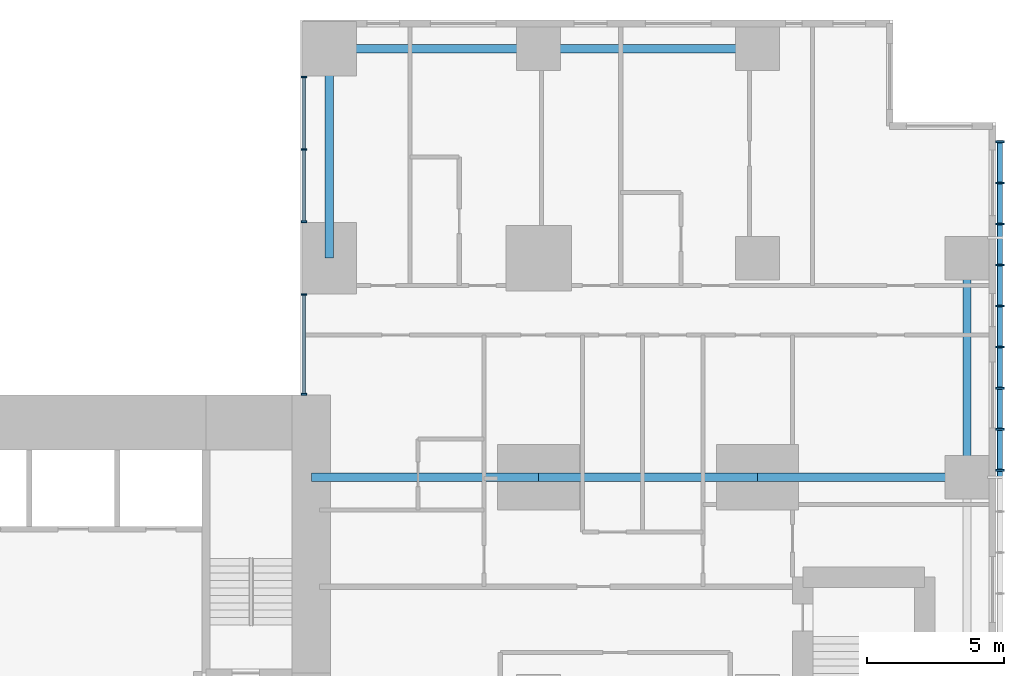
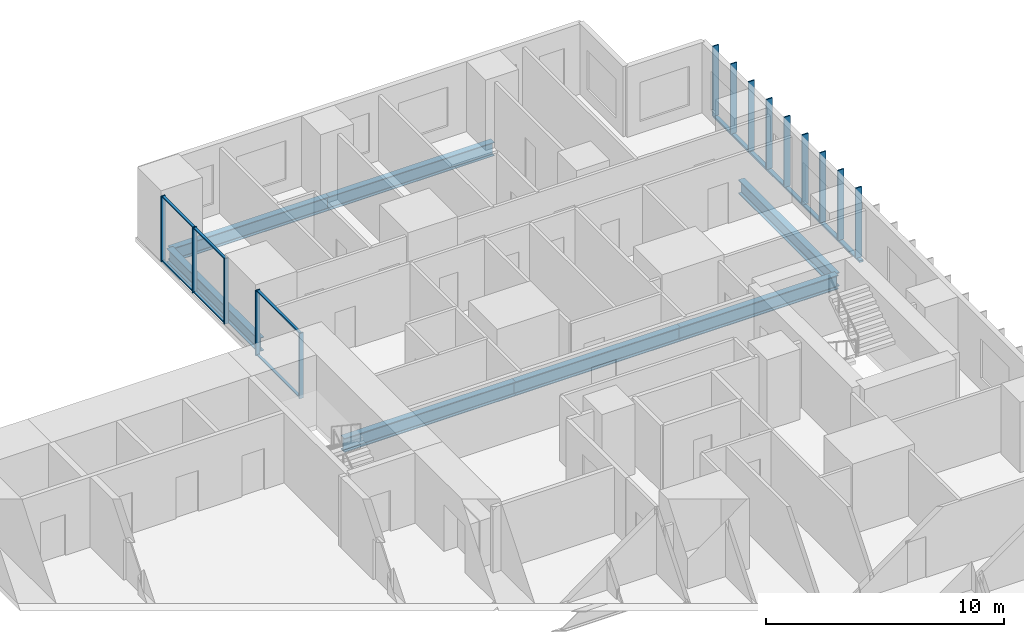
# One storey, part 3 of 12: 21 members, 7 beams, 2 elements without a shape of their own.
"""IFC4 building model written with IfcOpenShell, lengths in metres."""

from ifc_helpers import new_model, si_unit, direction, frame, origin, origin_2d, place, context, subcontext, project, spatial, rectangle, hollow_rectangle, i_section, extrude, material, layer, layer_set, material_profile, profile_set, type_object, element, aggregate, save


model = new_model("IFC4")

# Units and contexts
model_context = context("Model", 3, precision=1e-05, world=origin(), true_north=direction((0.0, 1.0)))
body_context = subcontext(model_context, "Body", "Model", "MODEL_VIEW")
ifc_project = project(units=[si_unit("LENGTHUNIT", "METRE"), si_unit("AREAUNIT", "SQUARE_METRE"), si_unit("VOLUMEUNIT", "CUBIC_METRE"), si_unit("PLANEANGLEUNIT", "RADIAN"), si_unit("MASSUNIT", "GRAM", prefix="KILO")], contexts=[model_context])

# Site, building, storey
site_placement = place(None, origin())
site = spatial("IfcSite", under=ifc_project, at=site_placement, CompositionType="ELEMENT")
building_placement = place(site_placement, origin())
building = spatial("IfcBuilding", under=site, at=building_placement, Name="Cleftline Residences", CompositionType="ELEMENT")
storey_placement = place(building_placement, frame((0.0, 0.0, 241.199951171875)))
storey = spatial("IfcBuildingStorey", under=building, at=storey_placement, Name="L63", CompositionType="ELEMENT", Elevation=241.199951171875)

# Member
ifc_material_1 = material(Name="Steel S355, hot-dip galvanised", Category="steel")
ifc_material_profile_1 = material_profile(ifc_material_1, hollow_rectangle(XDim=0.10009765625, YDim=0.199951171875, WallThickness=0.008056640625, InnerFilletRadius=0.008056640625, OuterFilletRadius=0.011962890625, at=origin_2d()))
ifc_profile_set_1 = profile_set([ifc_material_profile_1], Name="Steel S355, hot-dip galvanised")
member_type_1 = type_object("IfcMemberType", Name="BAGUETTE CARRIER RHS 200X100X8", PredefinedType="USERDEFINED", material=ifc_profile_set_1)
member_1_placement = place(storey_placement, frame((66.85009765625, 32.0, -0.050048828125), z_axis=(0.0, 1.0, 0.0), x_axis=(0.0, 0.0, 1.0)))
element("IfcMember", 1, at=member_1_placement, inside=storey, type_object=member_type_1, Name="Baguette carrier", ObjectType="BAGUETTE CARRIER", PredefinedType="USERDEFINED", context=body_context, shape_type="SweptSolid", body=[
    extrude(hollow_rectangle(XDim=0.10009765625, YDim=0.199951171875, WallThickness=0.008056640625, InnerFilletRadius=0.008056640625, OuterFilletRadius=0.011962890625, at=origin_2d()), origin(), (0.0, 0.0, 1.0), 12.300048828125),
])

# Beams
ifc_material_2 = material(Name="Steel S355", Category="steel")
ifc_material_profile_2 = material_profile(ifc_material_2, i_section(OverallWidth=0.300048828125, OverallDepth=0.699951171875, WebThickness=0.01708984375, FlangeThickness=0.031982421875, FilletRadius=0.027099609375, at=origin_2d()))
ifc_profile_set_2 = profile_set([ifc_material_profile_2], Name="Steel S355")
beam_type_1 = type_object("IfcBeamType", Name="BEAM HEB 700", PredefinedType="BEAM", material=ifc_profile_set_2)
for number, where, z_axis, x_axis, name in (
    (2, (65.64990234375, 32.0, -0.599853515625), (0.0, 1.0, 0.0), (-1.0, 0.0, 0.0), "Edge beam"),
    (3, (58.0, 47.64990234375, -0.599853515625), (-1.0, 0.0, 0.0), (0.0, -1.0, 0.0), "Edge beam"),
):
    element("IfcBeam", number, at=place(storey_placement, frame(where, z_axis=z_axis, x_axis=x_axis)), inside=storey, type_object=beam_type_1, Name=name, PredefinedType="BEAM", context=body_context, shape_type="SweptSolid", body=[
        extrude(i_section(OverallWidth=0.300048828125, OverallDepth=0.699951171875, WebThickness=0.01708984375, FlangeThickness=0.031982421875, FilletRadius=0.027099609375, at=origin_2d()), origin(), (0.0, 0.0, 1.0), 8.0),
    ])
for number, where, z_axis, x_axis, name in (
    (4, (50.0, 47.64990234375, -0.599853515625), (-1.0, 0.0, 0.0), (0.0, -1.0, 0.0), "Edge beam"),
    (5, (42.35009765625, 47.64990234375, -0.599853515625), (0.0, -1.0, 0.0), (1.0, 0.0, 0.0), "Edge beam"),
):
    element("IfcBeam", number, at=place(storey_placement, frame(where, z_axis=z_axis, x_axis=x_axis)), inside=storey, type_object=beam_type_1, Name=name, PredefinedType="BEAM", context=body_context, shape_type="SweptSolid", body=[
        extrude(i_section(OverallWidth=0.300048828125, OverallDepth=0.699951171875, WebThickness=0.01708984375, FlangeThickness=0.031982421875, FilletRadius=0.027099609375, at=origin_2d()), origin(), (0.0, 0.0, 1.0), 7.64990234375),
    ])
ifc_material_3 = material(Name="Steel S355", Category="steel")
ifc_material_profile_3 = material_profile(ifc_material_3, i_section(OverallWidth=0.303955078125, OverallDepth=0.716064453125, WebThickness=0.02099609375, FlangeThickness=0.0400390625, FilletRadius=0.027099609375, at=origin_2d()))
ifc_profile_set_3 = profile_set([ifc_material_profile_3], Name="Steel S355")
beam_type_2 = type_object("IfcBeamType", Name="BEAM HEM 700", PredefinedType="BEAM", material=ifc_profile_set_3)
beam_1_placement = place(storey_placement, frame((65.64990234375, 32.0, -0.60791015625), z_axis=(-1.0, 0.0, 0.0), x_axis=(0.0, -1.0, 0.0)))
element("IfcBeam", 6, at=beam_1_placement, inside=storey, type_object=beam_type_2, Name="Band beam", PredefinedType="BEAM", context=body_context, shape_type="SweptSolid", body=[
    extrude(i_section(OverallWidth=0.303955078125, OverallDepth=0.716064453125, WebThickness=0.02099609375, FlangeThickness=0.0400390625, FilletRadius=0.027099609375, at=origin_2d()), origin(), (0.0, 0.0, 1.0), 7.64990234375),
])
beam_2_placement = place(storey_placement, frame((58.0, 32.0, -0.60791015625), z_axis=(-1.0, 0.0, 0.0), x_axis=(0.0, -1.0, 0.0)))
element("IfcBeam", 7, at=beam_2_placement, inside=storey, type_object=beam_type_2, Name="Band beam", PredefinedType="BEAM", context=body_context, shape_type="SweptSolid", body=[
    extrude(i_section(OverallWidth=0.303955078125, OverallDepth=0.716064453125, WebThickness=0.02099609375, FlangeThickness=0.0400390625, FilletRadius=0.027099609375, at=origin_2d()), origin(), (0.0, 0.0, 1.0), 8.0),
])
beam_3_placement = place(storey_placement, frame((50.0, 32.0, -0.60791015625), z_axis=(-1.0, 0.0, 0.0), x_axis=(0.0, -1.0, 0.0)))
element("IfcBeam", 8, at=beam_3_placement, inside=storey, type_object=beam_type_2, Name="Band beam", PredefinedType="BEAM", context=body_context, shape_type="SweptSolid", body=[
    extrude(i_section(OverallWidth=0.303955078125, OverallDepth=0.716064453125, WebThickness=0.02099609375, FlangeThickness=0.0400390625, FilletRadius=0.027099609375, at=origin_2d()), origin(), (0.0, 0.0, 1.0), 8.300048828125),
])

# Curtain wall, members
ifc_material_4 = material(Name="Aluminium framed curtain wall", Category="aluminium")
ifc_layer = layer(ifc_material_4, 0.199951171875)
ifc_layer_set = layer_set([ifc_layer], Name="CW1 CLEFT GLAZING")
curtain_wall_type = type_object("IfcCurtainWallType", Name="CW1 CLEFT GLAZING", PredefinedType="NOTDEFINED", material=ifc_layer_set)
curtain_wall_1_placement = place(storey_placement, origin())
curtain_wall_1 = element("IfcCurtainWall", 9, at=curtain_wall_1_placement, inside=storey, type_object=curtain_wall_type, Name="Curtain wall CW1", PredefinedType="NOTDEFINED")
ifc_material_5 = material(Name="Aluminium mullion", Category="aluminium")
ifc_material_profile_4 = material_profile(ifc_material_5, rectangle(XDim=0.199951171875, YDim=0.06005859375, at=origin_2d()))
ifc_profile_set_4 = profile_set([ifc_material_profile_4], Name="Aluminium mullion")
member_type_2 = type_object("IfcMemberType", Name="CW1 MULLION", PredefinedType="MULLION", material=ifc_profile_set_4)
member_2_placement = place(storey_placement, frame((41.425048828125, 46.6201171875, 0.0), z_axis=(0.0, 0.0, 1.0), x_axis=(1.0, 0.0, 0.0)))
member_2 = element("IfcMember", 10, at=member_2_placement, type_object=member_type_2, Name="CW1 mullion 1", PredefinedType="MULLION", context=body_context, shape_type="SweptSolid", body=[
    extrude(rectangle(XDim=0.199951171875, YDim=0.06005859375, at=origin_2d()), origin(), (0.0, 0.0, 1.0), 3.35009765625),
])
member_3_placement = place(storey_placement, frame((41.425048828125, 43.97509765625, 0.0), z_axis=(0.0, 0.0, 1.0), x_axis=(1.0, 0.0, 0.0)))
member_3 = element("IfcMember", 11, at=member_3_placement, type_object=member_type_2, Name="CW1 mullion 2", PredefinedType="MULLION", context=body_context, shape_type="SweptSolid", body=[
    extrude(rectangle(XDim=0.199951171875, YDim=0.06005859375, at=origin_2d()), origin(), (0.0, 0.0, 1.0), 3.35009765625),
])
member_4_placement = place(storey_placement, frame((41.425048828125, 41.330078125, 0.0), z_axis=(0.0, 0.0, 1.0), x_axis=(1.0, 0.0, 0.0)))
member_4 = element("IfcMember", 12, at=member_4_placement, type_object=member_type_2, Name="CW1 mullion 3", PredefinedType="MULLION", context=body_context, shape_type="SweptSolid", body=[
    extrude(rectangle(XDim=0.199951171875, YDim=0.06005859375, at=origin_2d()), origin(), (0.0, 0.0, 1.0), 3.35009765625),
])

curtain_wall_2_placement = place(storey_placement, origin())
curtain_wall_2 = element("IfcCurtainWall", 13, at=curtain_wall_2_placement, inside=storey, type_object=curtain_wall_type, Name="Curtain wall CW1", PredefinedType="NOTDEFINED")
member_5_placement = place(storey_placement, frame((41.425048828125, 38.669921875, 0.0), z_axis=(0.0, 0.0, 1.0), x_axis=(1.0, 0.0, 0.0)))
member_5 = element("IfcMember", 14, at=member_5_placement, type_object=member_type_2, Name="CW1 mullion 1", PredefinedType="MULLION", context=body_context, shape_type="SweptSolid", body=[
    extrude(rectangle(XDim=0.199951171875, YDim=0.06005859375, at=origin_2d()), origin(), (0.0, 0.0, 1.0), 3.35009765625),
])
member_6_placement = place(storey_placement, frame((41.425048828125, 35.030029296875, 0.0), z_axis=(0.0, 0.0, 1.0), x_axis=(1.0, 0.0, 0.0)))
member_6 = element("IfcMember", 15, at=member_6_placement, type_object=member_type_2, Name="CW1 mullion 2", PredefinedType="MULLION", context=body_context, shape_type="SweptSolid", body=[
    extrude(rectangle(XDim=0.199951171875, YDim=0.06005859375, at=origin_2d()), origin(), (0.0, 0.0, 1.0), 3.35009765625),
])

# Member
ifc_material_6 = material(Name="Aluminium transom", Category="aluminium")
ifc_material_profile_5 = material_profile(ifc_material_6, rectangle(XDim=0.1201171875, YDim=0.06005859375, at=origin_2d()))
ifc_profile_set_5 = profile_set([ifc_material_profile_5], Name="Aluminium transom")
member_type_3 = type_object("IfcMemberType", Name="CW1 TRANSOM", PredefinedType="USERDEFINED", material=ifc_profile_set_5)
member_7_placement = place(storey_placement, frame((41.425048828125, 46.590087890625, 0.030029296875), z_axis=(0.0, -1.0, 0.0), x_axis=(1.0, 0.0, 0.0)))
member_7 = element("IfcMember", 16, at=member_7_placement, type_object=member_type_3, Name="CW1 transom 1.1", ObjectType="TRANSOM", PredefinedType="USERDEFINED", context=body_context, shape_type="SweptSolid", body=[
    extrude(rectangle(XDim=0.1201171875, YDim=0.06005859375, at=origin_2d()), origin(), (0.0, 0.0, 1.0), 2.585205078125),
])

member_8_placement = place(storey_placement, frame((41.425048828125, 46.590087890625, 3.320068359375), z_axis=(0.0, -1.0, 0.0), x_axis=(1.0, 0.0, 0.0)))
member_8 = element("IfcMember", 17, at=member_8_placement, type_object=member_type_3, Name="CW1 transom 1.2", ObjectType="TRANSOM", PredefinedType="USERDEFINED", context=body_context, shape_type="SweptSolid", body=[
    extrude(rectangle(XDim=0.1201171875, YDim=0.06005859375, at=origin_2d()), origin(), (0.0, 0.0, 1.0), 2.585205078125),
])

member_9_placement = place(storey_placement, frame((41.425048828125, 43.945068359375, 0.030029296875), z_axis=(0.0, -1.0, 0.0), x_axis=(1.0, 0.0, 0.0)))
member_9 = element("IfcMember", 18, at=member_9_placement, type_object=member_type_3, Name="CW1 transom 2.1", ObjectType="TRANSOM", PredefinedType="USERDEFINED", context=body_context, shape_type="SweptSolid", body=[
    extrude(rectangle(XDim=0.1201171875, YDim=0.06005859375, at=origin_2d()), origin(), (0.0, 0.0, 1.0), 2.5849609375),
])

member_10_placement = place(storey_placement, frame((41.425048828125, 43.945068359375, 3.320068359375), z_axis=(0.0, -1.0, 0.0), x_axis=(1.0, 0.0, 0.0)))
member_10 = element("IfcMember", 19, at=member_10_placement, type_object=member_type_3, Name="CW1 transom 2.2", ObjectType="TRANSOM", PredefinedType="USERDEFINED", context=body_context, shape_type="SweptSolid", body=[
    extrude(rectangle(XDim=0.1201171875, YDim=0.06005859375, at=origin_2d()), origin(), (0.0, 0.0, 1.0), 2.5849609375),
])

aggregate(curtain_wall_1, [member_2, member_3, member_4, member_7, member_8, member_9, member_10])

member_11_placement = place(storey_placement, frame((41.425048828125, 38.639892578125, 0.030029296875), z_axis=(0.0, -1.0, 0.0), x_axis=(1.0, 0.0, 0.0)))
member_11 = element("IfcMember", 20, at=member_11_placement, type_object=member_type_3, Name="CW1 transom 1.1", ObjectType="TRANSOM", PredefinedType="USERDEFINED", context=body_context, shape_type="SweptSolid", body=[
    extrude(rectangle(XDim=0.1201171875, YDim=0.06005859375, at=origin_2d()), origin(), (0.0, 0.0, 1.0), 3.579833984375),
])

member_12_placement = place(storey_placement, frame((41.425048828125, 38.639892578125, 3.320068359375), z_axis=(0.0, -1.0, 0.0), x_axis=(1.0, 0.0, 0.0)))
member_12 = element("IfcMember", 21, at=member_12_placement, type_object=member_type_3, Name="CW1 transom 1.2", ObjectType="TRANSOM", PredefinedType="USERDEFINED", context=body_context, shape_type="SweptSolid", body=[
    extrude(rectangle(XDim=0.1201171875, YDim=0.06005859375, at=origin_2d()), origin(), (0.0, 0.0, 1.0), 3.579833984375),
])

aggregate(curtain_wall_2, [member_5, member_6, member_11, member_12])

# Members
ifc_material_7 = material(Name="Extruded terracotta", Category="masonry")
ifc_material_profile_6 = material_profile(ifc_material_7, rectangle(XDim=0.06005859375, YDim=0.300048828125, at=origin_2d()))
ifc_profile_set_6 = profile_set([ifc_material_profile_6], Name="Extruded terracotta")
member_type_4 = type_object("IfcMemberType", Name="TERRACOTTA BAGUETTE 60X300", PredefinedType="USERDEFINED", material=ifc_profile_set_6)
for number, where, z_axis, x_axis, name in (
    (22, (66.85009765625, 32.25, 0.0), (0.0, 0.0, 1.0), (0.0, 1.0, 0.0), "Terracotta baguette"),
    (23, (66.85009765625, 33.75, 0.0), (0.0, 0.0, 1.0), (0.0, 1.0, 0.0), "Terracotta baguette"),
    (24, (66.85009765625, 35.25, 0.0), (0.0, 0.0, 1.0), (0.0, 1.0, 0.0), "Terracotta baguette"),
    (25, (66.85009765625, 36.75, 0.0), (0.0, 0.0, 1.0), (0.0, 1.0, 0.0), "Terracotta baguette"),
    (26, (66.85009765625, 38.25, 0.0), (0.0, 0.0, 1.0), (0.0, 1.0, 0.0), "Terracotta baguette"),
    (27, (66.85009765625, 39.75, 0.0), (0.0, 0.0, 1.0), (0.0, 1.0, 0.0), "Terracotta baguette"),
    (28, (66.85009765625, 41.25, 0.0), (0.0, 0.0, 1.0), (0.0, 1.0, 0.0), "Terracotta baguette"),
    (29, (66.85009765625, 42.75, 0.0), (0.0, 0.0, 1.0), (0.0, 1.0, 0.0), "Terracotta baguette"),
    (30, (66.85009765625, 44.25, 0.0), (0.0, 0.0, 1.0), (0.0, 1.0, 0.0), "Terracotta baguette"),
):
    element("IfcMember", number, at=place(storey_placement, frame(where, z_axis=z_axis, x_axis=x_axis)), inside=storey, type_object=member_type_4, Name=name, ObjectType="BAGUETTE", PredefinedType="USERDEFINED", context=body_context, shape_type="SweptSolid", body=[
        extrude(rectangle(XDim=0.06005859375, YDim=0.300048828125, at=origin_2d()), origin(), (0.0, 0.0, 1.0), 3.60009765625),
    ])

save(model, "model.ifc")
